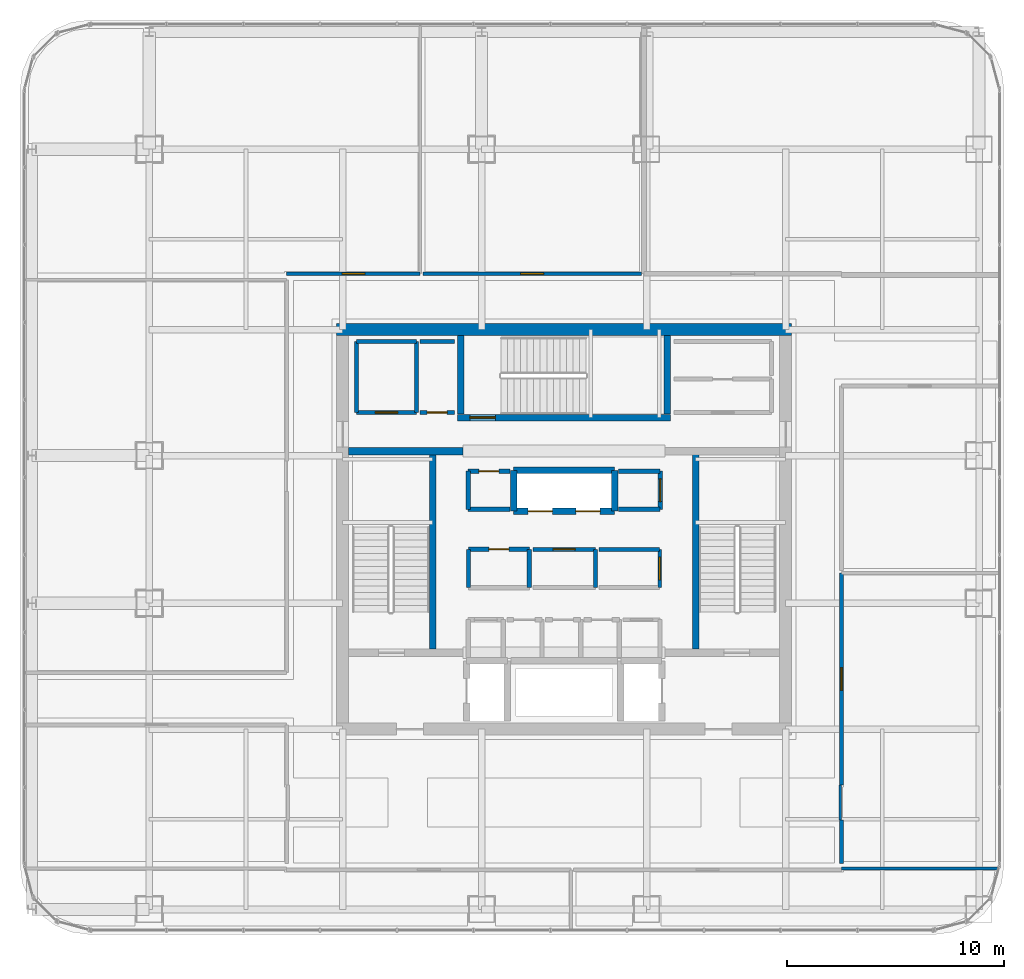
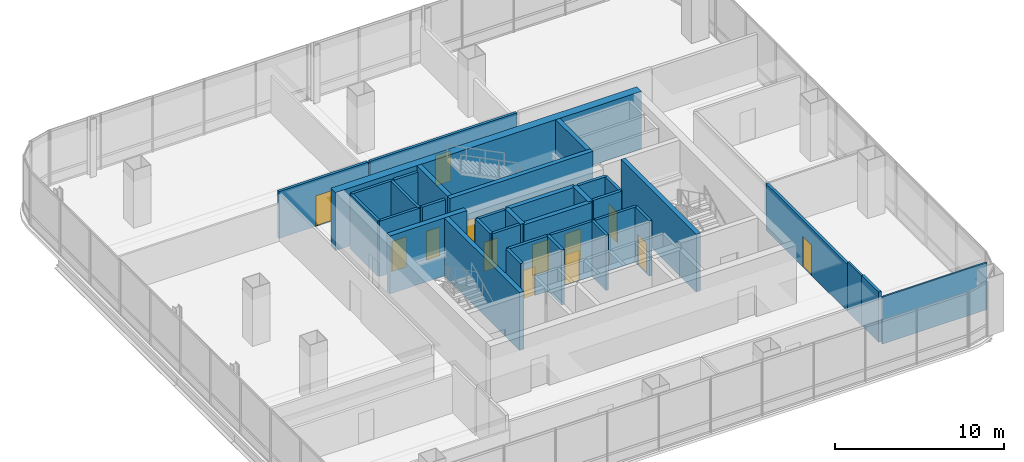
# One storey, part 35 of 41: 36 walls, 13 doors, 13 openings.
"""IFC4 building model written with IfcOpenShell, lengths in metres."""

from ifc_helpers import new_model, si_unit, direction, frame, frame_2d, origin, place, context, subcontext, project, spatial, rectangle, extrude, material, layer, layer_set, type_object, element, fill, save


model = new_model("IFC4")

# Units and contexts
model_context = context("Model", 3, precision=1e-05, world=origin(), true_north=direction((0.0, 1.0)))
body_context = subcontext(model_context, "Body", "Model", "MODEL_VIEW")
ifc_project = project(units=[si_unit("LENGTHUNIT", "METRE"), si_unit("AREAUNIT", "SQUARE_METRE"), si_unit("VOLUMEUNIT", "CUBIC_METRE"), si_unit("PLANEANGLEUNIT", "RADIAN"), si_unit("MASSUNIT", "GRAM", prefix="KILO")], contexts=[model_context])

# Site, building, storey
site_placement = place(None, origin())
site = spatial("IfcSite", under=ifc_project, at=site_placement, CompositionType="ELEMENT")
building_placement = place(site_placement, origin())
building = spatial("IfcBuilding", under=site, at=building_placement, Name="Punatoya Terracotta Tower", CompositionType="ELEMENT")
storey_placement = place(building_placement, frame((0.0, 0.0, 288.0)))
storey = spatial("IfcBuildingStorey", under=building, at=storey_placement, Name="L68", CompositionType="ELEMENT", Elevation=288.0)

# Walls
ifc_material_1 = material(Name="Concrete C50/60", Category="concrete")
ifc_layer_1 = layer(ifc_material_1, 0.550048828125)
ifc_layer_set_1 = layer_set([ifc_layer_1], Name="Concrete C50/60")
wall_type_1 = type_object("IfcWallType", Name="WL-COR-550", PredefinedType="SHEAR", material=ifc_layer_set_1)
wall_1_placement = place(storey_placement, frame((-10.47509765625, 9.199951171875, 0.0), z_axis=(0.0, 0.0, 1.0), x_axis=(1.0, 0.0, 0.0)))
element("IfcWall", 1, at=wall_1_placement, inside=storey, type_object=wall_type_1, Name="L68 Core Shear Wall N", PredefinedType="SHEAR", context=body_context, shape_type="SweptSolid", body=[
    extrude(rectangle(XDim=20.9501953125, YDim=0.550048828125, at=frame_2d((10.47509765625, 0.0))), origin(), (0.0, 0.0, 1.0), 4.199951171875),
])
ifc_material_2 = material(Name="Gypsum Fireboard + Steel Stud", Category="steel")
ifc_layer_2 = layer(ifc_material_2, 0.179931640625)
ifc_layer_set_2 = layer_set([ifc_layer_2], Name="Gypsum Fireboard + Steel Stud")
wall_type_2 = type_object("IfcWallType", Name="WL-CORR-180", PredefinedType="PARTITIONING", material=ifc_layer_set_2)
wall_2_placement = place(storey_placement, frame((1.43994140625, -2.679931640625, 0.0), z_axis=(0.0, 0.0, 1.0), x_axis=(0.0, 1.0, 0.0)))
element("IfcWall", 2, at=wall_2_placement, inside=storey, type_object=wall_type_2, Name="L68 Center Core Briefing Pod Partition 16", PredefinedType="PARTITIONING", context=body_context, shape_type="SweptSolid", body=[
    extrude(rectangle(XDim=1.760009765625, YDim=0.179931640625, at=frame_2d((0.8798828125, 0.0))), origin(), (0.0, 0.0, 1.0), 4.0),
])

# Wall, opening, door
wall_3_placement = place(storey_placement, frame((1.43994140625, -0.919921875, 0.0), z_axis=(0.0, 0.0, 1.0), x_axis=(-1.0, 0.0, 0.0)))
wall_3 = element("IfcWall", 3, at=wall_3_placement, inside=storey, type_object=wall_type_2, Name="L68 Center Core Briefing Pod Partition 17", PredefinedType="PARTITIONING", context=body_context, shape_type="SweptSolid", body=[
    extrude(rectangle(XDim=2.8798828125, YDim=0.179931640625, at=frame_2d((1.43994140625, 0.0))), origin(), (0.0, 0.0, 1.0), 4.0),
])
opening_1_placement = place(wall_3_placement, frame((0.929931640625, 0.0, 0.0)))
opening_1 = element("IfcOpeningElement", 4, at=opening_1_placement, cuts=wall_3, Name="Opening MD-01", PredefinedType="OPENING", context=body_context, shape_type="SweptSolid", body=[
    extrude(rectangle(XDim=1.02001953125, YDim=2.199951171875, at=frame_2d((0.510009765625, 1.10009765625))), frame((0.0, 0.099853515625, 0.0), z_axis=(0.0, -1.0, 0.0), x_axis=(1.0, 0.0, 0.0)), (0.0, 0.0, 1.0), 0.199951171875),
])
ifc_material_3 = material(Name="Aluminium + Acoustic Glass Leaf", Category="aluminium")
door_type_1 = type_object("IfcDoorType", Name="DR-MTG-1020", OperationType="NOTDEFINED", PredefinedType="DOOR", material=ifc_material_3)
door_1_placement = place(opening_1_placement, origin())
door_1 = element("IfcDoor", 5, at=door_1_placement, inside=storey, type_object=door_type_1, Name="L68 Center Briefing Pod Door", OperationType="SINGLE_SWING_RIGHT", OverallHeight=2.199951171875, OverallWidth=1.02001953125, PredefinedType="DOOR", context=body_context, shape_type="SweptSolid", body=[
    extrude(rectangle(XDim=1.02001953125, YDim=2.199951171875, at=frame_2d((0.510009765625, 1.10009765625))), frame((0.0, 0.02490234375, 0.0), z_axis=(0.0, -1.0, 0.0), x_axis=(1.0, 0.0, 0.0)), (0.0, 0.0, 1.0), 0.050048828125),
])
fill(opening_1, door_1)

wall_4_placement = place(storey_placement, frame((4.39990234375, -2.679931640625, 0.0), z_axis=(0.0, 0.0, 1.0), x_axis=(0.0, 1.0, 0.0)))
wall_4 = element("IfcWall", 6, at=wall_4_placement, inside=storey, type_object=wall_type_2, Name="L68 Right Core Copy Room Partition 19", PredefinedType="PARTITIONING", context=body_context, shape_type="SweptSolid", body=[
    extrude(rectangle(XDim=1.760009765625, YDim=0.179931640625, at=frame_2d((0.8798828125, 0.0))), origin(), (0.0, 0.0, 1.0), 4.0),
])
opening_2_placement = place(wall_4_placement, frame((0.35498046875, 0.0, 0.0)))
opening_2 = element("IfcOpeningElement", 7, at=opening_2_placement, cuts=wall_4, Name="Opening OD-01", PredefinedType="OPENING", context=body_context, shape_type="SweptSolid", body=[
    extrude(rectangle(XDim=1.050048828125, YDim=2.199951171875, at=frame_2d((0.52490234375, 1.10009765625))), frame((0.0, 0.099853515625, 0.0), z_axis=(0.0, -1.0, 0.0), x_axis=(1.0, 0.0, 0.0)), (0.0, 0.0, 1.0), 0.199951171875),
])
ifc_material_4 = material(Name="Bengal Teak Solid-Core Leaf")
door_type_2 = type_object("IfcDoorType", Name="DR-OFF-1050", OperationType="NOTDEFINED", PredefinedType="DOOR", material=ifc_material_4)
door_2_placement = place(opening_2_placement, origin())
door_2 = element("IfcDoor", 8, at=door_2_placement, inside=storey, type_object=door_type_2, Name="L68 Right Copy Room Door", OperationType="SINGLE_SWING_LEFT", OverallHeight=2.199951171875, OverallWidth=1.050048828125, PredefinedType="DOOR", context=body_context, shape_type="SweptSolid", body=[
    extrude(rectangle(XDim=1.050048828125, YDim=2.199951171875, at=frame_2d((0.52490234375, 1.10009765625))), frame((0.0, 0.02490234375, 0.0), z_axis=(0.0, -1.0, 0.0), x_axis=(1.0, 0.0, 0.0)), (0.0, 0.0, 1.0), 0.050048828125),
])
fill(opening_2, door_2)

# Walls
wall_5_placement = place(storey_placement, frame((4.39990234375, -0.919921875, 0.0), z_axis=(0.0, 0.0, 1.0), x_axis=(-1.0, 0.0, 0.0)))
element("IfcWall", 9, at=wall_5_placement, inside=storey, type_object=wall_type_2, Name="L68 Right Core Copy Room Partition 20", PredefinedType="PARTITIONING", context=body_context, shape_type="SweptSolid", body=[
    extrude(rectangle(XDim=2.7998046875, YDim=0.179931640625, at=frame_2d((1.39990234375, 0.0))), origin(), (0.0, 0.0, 1.0), 4.0),
])
wall_6_placement = place(storey_placement, frame((-6.800048828125, 5.3798828125, 0.0), z_axis=(0.0, 0.0, 1.0), x_axis=(0.0, 1.0, 0.0)))
element("IfcWall", 10, at=wall_6_placement, inside=storey, type_object=wall_type_2, Name="L68 West Core Briefing Pod Partition 28", PredefinedType="PARTITIONING", context=body_context, shape_type="SweptSolid", body=[
    extrude(rectangle(XDim=3.27001953125, YDim=0.179931640625, at=frame_2d((1.635009765625, 0.0))), origin(), (0.0, 0.0, 1.0), 4.0),
])
wall_7_placement = place(storey_placement, frame((-6.800048828125, 8.64990234375, 0.0), z_axis=(0.0, 0.0, 1.0), x_axis=(-1.0, 0.0, 0.0)))
element("IfcWall", 11, at=wall_7_placement, inside=storey, type_object=wall_type_2, Name="L68 West Core Briefing Pod Partition 29", PredefinedType="PARTITIONING", context=body_context, shape_type="SweptSolid", body=[
    extrude(rectangle(XDim=2.75, YDim=0.179931640625, at=frame_2d((1.375, 0.0))), origin(), (0.0, 0.0, 1.0), 4.0),
])
wall_8_placement = place(storey_placement, frame((-9.550048828125, 8.64990234375, 0.0), z_axis=(0.0, 0.0, 1.0), x_axis=(0.0, -1.0, 0.0)))
element("IfcWall", 12, at=wall_8_placement, inside=storey, type_object=wall_type_2, Name="L68 West Core Briefing Pod Partition 30", PredefinedType="PARTITIONING", context=body_context, shape_type="SweptSolid", body=[
    extrude(rectangle(XDim=3.27001953125, YDim=0.179931640625, at=frame_2d((1.635009765625, 0.0))), origin(), (0.0, 0.0, 1.0), 4.0),
])

# Wall, opening, door
wall_9_placement = place(storey_placement, frame((-9.550048828125, 5.3798828125, 0.0), z_axis=(0.0, 0.0, 1.0), x_axis=(1.0, 0.0, 0.0)))
wall_9 = element("IfcWall", 13, at=wall_9_placement, inside=storey, type_object=wall_type_2, Name="L68 West Core Briefing Pod Partition 31", PredefinedType="PARTITIONING", context=body_context, shape_type="SweptSolid", body=[
    extrude(rectangle(XDim=2.75, YDim=0.179931640625, at=frame_2d((1.375, 0.0))), origin(), (0.0, 0.0, 1.0), 4.0),
])
opening_3_placement = place(wall_9_placement, frame((0.864990234375, 0.0, 0.0)))
opening_3 = element("IfcOpeningElement", 14, at=opening_3_placement, cuts=wall_9, Name="Opening MD-01", PredefinedType="OPENING", context=body_context, shape_type="SweptSolid", body=[
    extrude(rectangle(XDim=1.02001953125, YDim=2.199951171875, at=frame_2d((0.510009765625, 1.10009765625))), frame((0.0, 0.099853515625, 0.0), z_axis=(0.0, -1.0, 0.0), x_axis=(1.0, 0.0, 0.0)), (0.0, 0.0, 1.0), 0.199951171875),
])
door_3_placement = place(opening_3_placement, origin())
door_3 = element("IfcDoor", 15, at=door_3_placement, inside=storey, type_object=door_type_1, Name="L68 West Briefing Pod Door", OperationType="SINGLE_SWING_RIGHT", OverallHeight=2.199951171875, OverallWidth=1.02001953125, PredefinedType="DOOR", context=body_context, shape_type="SweptSolid", body=[
    extrude(rectangle(XDim=1.02001953125, YDim=2.199951171875, at=frame_2d((0.510009765625, 1.10009765625))), frame((0.0, 0.02490234375, 0.0), z_axis=(0.0, -1.0, 0.0), x_axis=(1.0, 0.0, 0.0)), (0.0, 0.0, 1.0), 0.050048828125),
])
fill(opening_3, door_3)

wall_10_placement = place(storey_placement, frame((12.77001953125, -11.77001953125, 0.0), z_axis=(0.0, 0.0, 1.0), x_axis=(0.0, 1.0, 0.0)))
wall_10 = element("IfcWall", 16, at=wall_10_placement, inside=storey, type_object=wall_type_2, Name="L68 Open-Plan Environmental Research Laboratory Partition 49", PredefinedType="PARTITIONING", context=body_context, shape_type="SweptSolid", body=[
    extrude(rectangle(XDim=9.760009765625, YDim=0.179931640625, at=frame_2d((4.8798828125, 0.0))), origin(), (0.0, 0.0, 1.0), 3.39404296875),
])
opening_4_placement = place(wall_10_placement, frame((4.35498046875, 0.0, 0.0)))
opening_4 = element("IfcOpeningElement", 17, at=opening_4_placement, cuts=wall_10, Name="Opening OD-01", PredefinedType="OPENING", context=body_context, shape_type="SweptSolid", body=[
    extrude(rectangle(XDim=1.050048828125, YDim=2.199951171875, at=frame_2d((0.52490234375, 1.10009765625))), frame((0.0, 0.099853515625, 0.0), z_axis=(0.0, -1.0, 0.0), x_axis=(1.0, 0.0, 0.0)), (0.0, 0.0, 1.0), 0.199951171875),
])
door_4_placement = place(opening_4_placement, origin())
door_4 = element("IfcDoor", 18, at=door_4_placement, inside=storey, type_object=door_type_2, Name="L68 Open-Plan Environmental Research Laboratory Door", OperationType="SINGLE_SWING_LEFT", OverallHeight=2.199951171875, OverallWidth=1.050048828125, PredefinedType="DOOR", context=body_context, shape_type="SweptSolid", body=[
    extrude(rectangle(XDim=1.050048828125, YDim=2.199951171875, at=frame_2d((0.52490234375, 1.10009765625))), frame((0.0, 0.02490234375, 0.0), z_axis=(0.0, -1.0, 0.0), x_axis=(1.0, 0.0, 0.0)), (0.0, 0.0, 1.0), 0.050048828125),
])
fill(opening_4, door_4)

# Wall
wall_11_placement = place(storey_placement, frame((12.77001953125, -15.389892578125, 0.0), z_axis=(0.0, 0.0, 1.0), x_axis=(0.0, 1.0, 0.0)))
element("IfcWall", 19, at=wall_11_placement, inside=storey, type_object=wall_type_2, Name="L68 Open-Plan Environmental Research Laboratory Partition 51", PredefinedType="PARTITIONING", context=body_context, shape_type="SweptSolid", body=[
    extrude(rectangle(XDim=2.010009765625, YDim=0.179931640625, at=frame_2d((1.0048828125, 0.0))), origin(), (0.0, 0.0, 1.0), 3.634033203125),
])

# Wall, opening, door
wall_12_placement = place(storey_placement, frame((-6.626953125, 11.77001953125, 0.0), z_axis=(0.0, 0.0, 1.0), x_axis=(-1.0, 0.0, 0.0)))
wall_12 = element("IfcWall", 20, at=wall_12_placement, inside=storey, type_object=wall_type_2, Name="L68 Wellness Rest Room Partition 58", PredefinedType="PARTITIONING", context=body_context, shape_type="SweptSolid", body=[
    extrude(rectangle(XDim=6.14306640625, YDim=0.179931640625, at=frame_2d((3.071533203125, 0.0))), origin(), (0.0, 0.0, 1.0), 3.39404296875),
])
opening_5_placement = place(wall_12_placement, frame((2.54638671875, 0.0, 0.0)))
opening_5 = element("IfcOpeningElement", 21, at=opening_5_placement, cuts=wall_12, Name="Opening OD-01", PredefinedType="OPENING", context=body_context, shape_type="SweptSolid", body=[
    extrude(rectangle(XDim=1.050048828125, YDim=2.199951171875, at=frame_2d((0.52490234375, 1.10009765625))), frame((0.0, 0.099853515625, 0.0), z_axis=(0.0, -1.0, 0.0), x_axis=(1.0, 0.0, 0.0)), (0.0, 0.0, 1.0), 0.199951171875),
])
door_5_placement = place(opening_5_placement, origin())
door_5 = element("IfcDoor", 22, at=door_5_placement, inside=storey, type_object=door_type_2, Name="L68 Wellness Rest Room Door", OperationType="SINGLE_SWING_RIGHT", OverallHeight=2.199951171875, OverallWidth=1.050048828125, PredefinedType="DOOR", context=body_context, shape_type="SweptSolid", body=[
    extrude(rectangle(XDim=1.050048828125, YDim=2.199951171875, at=frame_2d((0.52490234375, 1.10009765625))), frame((0.0, 0.02490234375, 0.0), z_axis=(0.0, -1.0, 0.0), x_axis=(1.0, 0.0, 0.0)), (0.0, 0.0, 1.0), 0.050048828125),
])
fill(opening_5, door_5)

wall_13_placement = place(storey_placement, frame((3.55908203125, 11.77001953125, 0.0), z_axis=(0.0, 0.0, 1.0), x_axis=(-1.0, 0.0, 0.0)))
wall_13 = element("IfcWall", 23, at=wall_13_placement, inside=storey, type_object=wall_type_2, Name="L68 Open-Plan Hydrology Modelling Laboratory Partition 62", PredefinedType="PARTITIONING", context=body_context, shape_type="SweptSolid", body=[
    extrude(rectangle(XDim=10.066162109375, YDim=0.179931640625, at=frame_2d((5.033203125, 0.0))), origin(), (0.0, 0.0, 1.0), 3.39404296875),
])
opening_6_placement = place(wall_13_placement, frame((4.508056640625, 0.0, 0.0)))
opening_6 = element("IfcOpeningElement", 24, at=opening_6_placement, cuts=wall_13, Name="Opening OD-01", PredefinedType="OPENING", context=body_context, shape_type="SweptSolid", body=[
    extrude(rectangle(XDim=1.050048828125, YDim=2.199951171875, at=frame_2d((0.52490234375, 1.10009765625))), frame((0.0, 0.099853515625, 0.0), z_axis=(0.0, -1.0, 0.0), x_axis=(1.0, 0.0, 0.0)), (0.0, 0.0, 1.0), 0.199951171875),
])
door_6_placement = place(opening_6_placement, origin())
door_6 = element("IfcDoor", 25, at=door_6_placement, inside=storey, type_object=door_type_2, Name="L68 Open-Plan Hydrology Modelling Laboratory Door", OperationType="SINGLE_SWING_RIGHT", OverallHeight=2.199951171875, OverallWidth=1.050048828125, PredefinedType="DOOR", context=body_context, shape_type="SweptSolid", body=[
    extrude(rectangle(XDim=1.050048828125, YDim=2.199951171875, at=frame_2d((0.52490234375, 1.10009765625))), frame((0.0, 0.02490234375, 0.0), z_axis=(0.0, -1.0, 0.0), x_axis=(1.0, 0.0, 0.0)), (0.0, 0.0, 1.0), 0.050048828125),
])
fill(opening_6, door_6)

# Wall
ifc_material_5 = material(Name="Concrete C40/50", Category="concrete")
ifc_layer_3 = layer(ifc_material_5, 0.199951171875)
ifc_layer_set_3 = layer_set([ifc_layer_3], Name="Concrete C40/50")
wall_type_3 = type_object("IfcWallType", Name="WL-INT-200", PredefinedType="SOLIDWALL", material=ifc_layer_set_3)
wall_14_placement = place(storey_placement, frame((-1.60009765625, -2.679931640625, 0.0), z_axis=(0.0, 0.0, 1.0), x_axis=(0.0, 1.0, 0.0)))
element("IfcWall", 26, at=wall_14_placement, inside=storey, type_object=wall_type_3, Name="L68 Left Core Store Partition 12", PredefinedType="SOLIDWALL", context=body_context, shape_type="SweptSolid", body=[
    extrude(rectangle(XDim=1.760009765625, YDim=0.199951171875, at=frame_2d((0.8798828125, 0.0))), origin(), (0.0, 0.0, 1.0), 4.0),
])

# Wall, opening, door
wall_15_placement = place(storey_placement, frame((-1.60009765625, -0.919921875, 0.0), z_axis=(0.0, 0.0, 1.0), x_axis=(-1.0, 0.0, 0.0)))
wall_15 = element("IfcWall", 27, at=wall_15_placement, inside=storey, type_object=wall_type_3, Name="L68 Left Core Store Partition 13", PredefinedType="SOLIDWALL", context=body_context, shape_type="SweptSolid", body=[
    extrude(rectangle(XDim=2.7998046875, YDim=0.199951171875, at=frame_2d((1.39990234375, 0.0))), origin(), (0.0, 0.0, 1.0), 4.0),
])
opening_7_placement = place(wall_15_placement, frame((0.93994140625, 0.0, 0.0)))
opening_7 = element("IfcOpeningElement", 28, at=opening_7_placement, cuts=wall_15, Name="Opening FD-R1", PredefinedType="OPENING", context=body_context, shape_type="SweptSolid", body=[
    extrude(rectangle(XDim=0.919921875, YDim=2.10009765625, at=frame_2d((0.4599609375, 1.050048828125))), frame((0.0, 0.10986328125, 0.0), z_axis=(0.0, -1.0, 0.0), x_axis=(1.0, 0.0, 0.0)), (0.0, 0.0, 1.0), 0.219970703125),
])
ifc_material_6 = material(Name="Galvanised Steel Riser Fire Access Door", Category="steel")
door_type_3 = type_object("IfcDoorType", Name="DR-RSR-920", OperationType="NOTDEFINED", PredefinedType="DOOR", material=ifc_material_6)
door_7_placement = place(opening_7_placement, origin())
door_7 = element("IfcDoor", 29, at=door_7_placement, inside=storey, type_object=door_type_3, Name="L68 Left Core Store Fire Door", OperationType="SINGLE_SWING_LEFT", OverallHeight=2.10009765625, OverallWidth=0.919921875, PredefinedType="DOOR", context=body_context, shape_type="SweptSolid", body=[
    extrude(rectangle(XDim=0.919921875, YDim=2.10009765625, at=frame_2d((0.4599609375, 1.050048828125))), frame((0.0, 0.02490234375, 0.0), z_axis=(0.0, -1.0, 0.0), x_axis=(1.0, 0.0, 0.0)), (0.0, 0.0, 1.0), 0.050048828125),
])
fill(opening_7, door_7)

# Wall
wall_16_placement = place(storey_placement, frame((-4.39990234375, -0.919921875, 0.0), z_axis=(0.0, 0.0, 1.0), x_axis=(0.0, -1.0, 0.0)))
element("IfcWall", 30, at=wall_16_placement, inside=storey, type_object=wall_type_3, Name="L68 Left Core Store Partition 14", PredefinedType="SOLIDWALL", context=body_context, shape_type="SweptSolid", body=[
    extrude(rectangle(XDim=1.760009765625, YDim=0.199951171875, at=frame_2d((0.8798828125, 0.0))), origin(), (0.0, 0.0, 1.0), 4.0),
])

# Wall, opening, door
wall_17_placement = place(storey_placement, frame((-2.5, 2.679931640625, 0.0), z_axis=(0.0, 0.0, 1.0), x_axis=(-1.0, 0.0, 0.0)))
wall_17 = element("IfcWall", 31, at=wall_17_placement, inside=storey, type_object=wall_type_3, Name="L68 Core Security Equipment Closet Partition 22", PredefinedType="SOLIDWALL", context=body_context, shape_type="SweptSolid", body=[
    extrude(rectangle(XDim=1.919921875, YDim=0.199951171875, at=frame_2d((0.9599609375, 0.0))), origin(), (0.0, 0.0, 1.0), 4.0),
])
opening_8_placement = place(wall_17_placement, frame((0.5, 0.0, 0.0)))
opening_8 = element("IfcOpeningElement", 32, at=opening_8_placement, cuts=wall_17, Name="Opening FD-R1", PredefinedType="OPENING", context=body_context, shape_type="SweptSolid", body=[
    extrude(rectangle(XDim=0.919921875, YDim=2.10009765625, at=frame_2d((0.4599609375, 1.050048828125))), frame((0.0, 0.10986328125, 0.0), z_axis=(0.0, -1.0, 0.0), x_axis=(1.0, 0.0, 0.0)), (0.0, 0.0, 1.0), 0.219970703125),
])
door_8_placement = place(opening_8_placement, origin())
door_8 = element("IfcDoor", 33, at=door_8_placement, inside=storey, type_object=door_type_3, Name="L68 Core Security Equipment Closet Fire Door", OperationType="SINGLE_SWING_RIGHT", OverallHeight=2.10009765625, OverallWidth=0.919921875, PredefinedType="DOOR", context=body_context, shape_type="SweptSolid", body=[
    extrude(rectangle(XDim=0.919921875, YDim=2.10009765625, at=frame_2d((0.4599609375, 1.050048828125))), frame((0.0, 0.02490234375, 0.0), z_axis=(0.0, -1.0, 0.0), x_axis=(1.0, 0.0, 0.0)), (0.0, 0.0, 1.0), 0.050048828125),
])
fill(opening_8, door_8)

# Walls
wall_18_placement = place(storey_placement, frame((-4.419921875, 2.679931640625, 0.0), z_axis=(0.0, 0.0, 1.0), x_axis=(0.0, -1.0, 0.0)))
element("IfcWall", 34, at=wall_18_placement, inside=storey, type_object=wall_type_3, Name="L68 Core Security Equipment Closet Partition 23", PredefinedType="SOLIDWALL", context=body_context, shape_type="SweptSolid", body=[
    extrude(rectangle(XDim=1.760009765625, YDim=0.199951171875, at=frame_2d((0.8798828125, 0.0))), origin(), (0.0, 0.0, 1.0), 4.0),
])
wall_19_placement = place(storey_placement, frame((-4.419921875, 0.919921875, 0.0), z_axis=(0.0, 0.0, 1.0), x_axis=(1.0, 0.0, 0.0)))
element("IfcWall", 35, at=wall_19_placement, inside=storey, type_object=wall_type_3, Name="L68 Core Security Equipment Closet Partition 24", PredefinedType="SOLIDWALL", context=body_context, shape_type="SweptSolid", body=[
    extrude(rectangle(XDim=1.919921875, YDim=0.199951171875, at=frame_2d((0.9599609375, 0.0))), origin(), (0.0, 0.0, 1.0), 4.0),
])

# Wall, opening, door
wall_20_placement = place(storey_placement, frame((4.419921875, 0.919921875, 0.0), z_axis=(0.0, 0.0, 1.0), x_axis=(0.0, 1.0, 0.0)))
wall_20 = element("IfcWall", 36, at=wall_20_placement, inside=storey, type_object=wall_type_3, Name="L68 Executive Steward Pantry Partition 25", PredefinedType="SOLIDWALL", context=body_context, shape_type="SweptSolid", body=[
    extrude(rectangle(XDim=1.760009765625, YDim=0.199951171875, at=frame_2d((0.8798828125, 0.0))), origin(), (0.0, 0.0, 1.0), 4.0),
])
opening_9_placement = place(wall_20_placement, frame((0.35498046875, 0.0, 0.0)))
opening_9 = element("IfcOpeningElement", 37, at=opening_9_placement, cuts=wall_20, Name="Opening OD-01", PredefinedType="OPENING", context=body_context, shape_type="SweptSolid", body=[
    extrude(rectangle(XDim=1.050048828125, YDim=2.199951171875, at=frame_2d((0.52490234375, 1.10009765625))), frame((0.0, 0.10986328125, 0.0), z_axis=(0.0, -1.0, 0.0), x_axis=(1.0, 0.0, 0.0)), (0.0, 0.0, 1.0), 0.219970703125),
])
door_9_placement = place(opening_9_placement, origin())
door_9 = element("IfcDoor", 38, at=door_9_placement, inside=storey, type_object=door_type_2, Name="L68 Executive Steward Pantry Door", OperationType="SINGLE_SWING_LEFT", OverallHeight=2.199951171875, OverallWidth=1.050048828125, PredefinedType="DOOR", context=body_context, shape_type="SweptSolid", body=[
    extrude(rectangle(XDim=1.050048828125, YDim=2.199951171875, at=frame_2d((0.52490234375, 1.10009765625))), frame((0.0, 0.02490234375, 0.0), z_axis=(0.0, -1.0, 0.0), x_axis=(1.0, 0.0, 0.0)), (0.0, 0.0, 1.0), 0.050048828125),
])
fill(opening_9, door_9)

# Walls
for number, where, z_axis, x_axis, name in (
    (39, (4.419921875, 2.679931640625, 0.0), (0.0, 0.0, 1.0), (-1.0, 0.0, 0.0), "L68 Executive Steward Pantry Partition 26"),
    (40, (2.5, 0.919921875, 0.0), (0.0, 0.0, 1.0), (1.0, 0.0, 0.0), "L68 Executive Steward Pantry Partition 27"),
):
    element("IfcWall", number, at=place(storey_placement, frame(where, z_axis=z_axis, x_axis=x_axis)), inside=storey, type_object=wall_type_3, Name=name, PredefinedType="SOLIDWALL", context=body_context, shape_type="SweptSolid", body=[
        extrude(rectangle(XDim=1.919921875, YDim=0.199951171875, at=frame_2d((0.9599609375, 0.0))), origin(), (0.0, 0.0, 1.0), 4.0),
    ])
wall_21_placement = place(storey_placement, frame((-5.050048828125, 8.64990234375, 0.0), z_axis=(0.0, 0.0, 1.0), x_axis=(-1.0, 0.0, 0.0)))
element("IfcWall", 41, at=wall_21_placement, inside=storey, type_object=wall_type_3, Name="L68 West Core Supply Store Partition 32", PredefinedType="SOLIDWALL", context=body_context, shape_type="SweptSolid", body=[
    extrude(rectangle(XDim=1.58984375, YDim=0.199951171875, at=frame_2d((0.794921875, 0.0))), origin(), (0.0, 0.0, 1.0), 4.0),
])

# Wall, opening, door
wall_22_placement = place(storey_placement, frame((-6.639892578125, 5.3798828125, 0.0), z_axis=(0.0, 0.0, 1.0), x_axis=(1.0, 0.0, 0.0)))
wall_22 = element("IfcWall", 42, at=wall_22_placement, inside=storey, type_object=wall_type_3, Name="L68 West Core Supply Store Partition 33", PredefinedType="SOLIDWALL", context=body_context, shape_type="SweptSolid", body=[
    extrude(rectangle(XDim=1.58984375, YDim=0.199951171875, at=frame_2d((0.794921875, 0.0))), origin(), (0.0, 0.0, 1.0), 4.0),
])
opening_10_placement = place(wall_22_placement, frame((0.3349609375, 0.0, 0.0)))
opening_10 = element("IfcOpeningElement", 43, at=opening_10_placement, cuts=wall_22, Name="Opening FD-R1", PredefinedType="OPENING", context=body_context, shape_type="SweptSolid", body=[
    extrude(rectangle(XDim=0.919921875, YDim=2.10009765625, at=frame_2d((0.4599609375, 1.050048828125))), frame((0.0, 0.10986328125, 0.0), z_axis=(0.0, -1.0, 0.0), x_axis=(1.0, 0.0, 0.0)), (0.0, 0.0, 1.0), 0.219970703125),
])
door_10_placement = place(opening_10_placement, origin())
door_10 = element("IfcDoor", 44, at=door_10_placement, inside=storey, type_object=door_type_3, Name="L68 West Core Supply Store Fire Door", OperationType="SINGLE_SWING_LEFT", OverallHeight=2.10009765625, OverallWidth=0.919921875, PredefinedType="DOOR", context=body_context, shape_type="SweptSolid", body=[
    extrude(rectangle(XDim=0.919921875, YDim=2.10009765625, at=frame_2d((0.4599609375, 1.050048828125))), frame((0.0, 0.02490234375, 0.0), z_axis=(0.0, -1.0, 0.0), x_axis=(1.0, 0.0, 0.0)), (0.0, 0.0, 1.0), 0.050048828125),
])
fill(opening_10, door_10)

# Walls
ifc_material_7 = material(Name="Gypsum Partition + Steel Stud", Category="steel")
ifc_layer_4 = layer(ifc_material_7, 0.1201171875)
ifc_layer_set_4 = layer_set([ifc_layer_4], Name="Gypsum Partition + Steel Stud")
wall_type_4 = type_object("IfcWallType", Name="WL-OFF-120", PredefinedType="PARTITIONING", material=ifc_layer_set_4)
wall_23_placement = place(storey_placement, frame((12.77001953125, -15.610107421875, 0.0), z_axis=(0.0, 0.0, 1.0), x_axis=(1.0, 0.0, 0.0)))
element("IfcWall", 45, at=wall_23_placement, inside=storey, type_object=wall_type_4, Name="L68 Open-Plan Cartography Reference Library Partition 43", PredefinedType="PARTITIONING", context=body_context, shape_type="SweptSolid", body=[
    extrude(rectangle(XDim=7.176513671875, YDim=0.1201171875, at=frame_2d((3.58837890625, 0.0))), origin(), (0.0, 0.0, 1.0), 3.39404296875),
])
wall_24_placement = place(storey_placement, frame((12.7099609375, -13.3798828125, 0.0), z_axis=(0.0, 0.0, 1.0), x_axis=(0.0, 1.0, 0.0)))
element("IfcWall", 46, at=wall_24_placement, inside=storey, type_object=wall_type_4, Name="L68 Open-Plan Environmental Research Laboratory Partition 48", PredefinedType="PARTITIONING", context=body_context, shape_type="SweptSolid", body=[
    extrude(rectangle(XDim=1.60986328125, YDim=0.1201171875, at=frame_2d((0.804931640625, 0.0))), origin(), (0.0, 0.0, 1.0), 3.634033203125),
])
ifc_layer_5 = layer(ifc_material_5, 0.300048828125)
ifc_layer_set_5 = layer_set([ifc_layer_5], Name="Concrete C40/50")
wall_type_5 = type_object("IfcWallType", Name="WL-SHF-300", PredefinedType="SOLIDWALL", material=ifc_layer_set_5)
for number, where, z_axis, x_axis, name in (
    (47, (-6.050048828125, -5.5, 0.0), (0.0, 0.0, 1.0), (0.0, 1.0, 0.0), "L68 Structural Stair Shaft Wall SW-ST1-E"),
    (48, (6.050048828125, 3.449951171875, 0.0), (0.0, 0.0, 1.0), (0.0, -1.0, 0.0), "L68 Structural Stair Shaft Wall SW-ST2-W"),
):
    element("IfcWall", number, at=place(storey_placement, frame(where, z_axis=z_axis, x_axis=x_axis)), inside=storey, type_object=wall_type_5, Name=name, PredefinedType="SOLIDWALL", context=body_context, shape_type="SweptSolid", body=[
        extrude(rectangle(XDim=8.949951171875, YDim=0.300048828125, at=frame_2d((4.47509765625, 0.0))), origin(), (0.0, 0.0, 1.0), 4.199951171875),
    ])
for number, where, z_axis, x_axis, name in (
    (49, (-4.75, 5.300048828125, 0.0), (0.0, 0.0, 1.0), (0.0, 1.0, 0.0), "L68 Structural Stair Shaft Wall SW-ST3-W"),
    (50, (4.75, 8.925048828125, 0.0), (0.0, 0.0, 1.0), (0.0, -1.0, 0.0), "L68 Structural Stair Shaft Wall SW-ST3-E"),
):
    element("IfcWall", number, at=place(storey_placement, frame(where, z_axis=z_axis, x_axis=x_axis)), inside=storey, type_object=wall_type_5, Name=name, PredefinedType="SOLIDWALL", context=body_context, shape_type="SweptSolid", body=[
        extrude(rectangle(XDim=3.625, YDim=0.300048828125, at=frame_2d((1.8125, 0.0))), origin(), (0.0, 0.0, 1.0), 4.199951171875),
    ])

# Wall, opening, door
wall_25_placement = place(storey_placement, frame((-4.89990234375, 5.14990234375, 0.0), z_axis=(0.0, 0.0, 1.0), x_axis=(1.0, 0.0, 0.0)))
wall_25 = element("IfcWall", 51, at=wall_25_placement, inside=storey, type_object=wall_type_5, Name="L68 Structural Stair Shaft Wall SW-ST3-S", PredefinedType="SOLIDWALL", context=body_context, shape_type="SweptSolid", body=[
    extrude(rectangle(XDim=9.7998046875, YDim=0.300048828125, at=frame_2d((4.89990234375, 0.0))), origin(), (0.0, 0.0, 1.0), 4.199951171875),
])
opening_11_placement = place(wall_25_placement, frame((0.56005859375, 0.0, 0.0)))
opening_11 = element("IfcOpeningElement", 52, at=opening_11_placement, cuts=wall_25, Name="Opening SD-01", PredefinedType="OPENING", context=body_context, shape_type="SweptSolid", body=[
    extrude(rectangle(XDim=1.179931640625, YDim=2.199951171875, at=frame_2d((0.58984375, 1.10009765625))), frame((0.0, 0.159912109375, 0.0), z_axis=(0.0, -1.0, 0.0), x_axis=(1.0, 0.0, 0.0)), (0.0, 0.0, 1.0), 0.320068359375),
])
ifc_material_8 = material(Name="Galvanised Steel Pressurized Stair Fire Door", Category="steel")
door_type_4 = type_object("IfcDoorType", Name="DR-STR-1180", OperationType="NOTDEFINED", PredefinedType="DOOR", material=ifc_material_8)
door_11_placement = place(opening_11_placement, origin())
door_11 = element("IfcDoor", 53, at=door_11_placement, inside=storey, type_object=door_type_4, Name="L68 Stair ST-3 Core Lobby Fire Door", OperationType="SINGLE_SWING_LEFT", OverallHeight=2.199951171875, OverallWidth=1.179931640625, PredefinedType="DOOR", context=body_context, shape_type="SweptSolid", body=[
    extrude(rectangle(XDim=1.179931640625, YDim=2.199951171875, at=frame_2d((0.58984375, 1.10009765625))), frame((0.0, 0.02490234375, 0.0), z_axis=(0.0, -1.0, 0.0), x_axis=(1.0, 0.0, 0.0)), (0.0, 0.0, 1.0), 0.050048828125),
])
fill(opening_11, door_11)

# Wall, openings, doors
wall_26_placement = place(storey_placement, frame((-2.320068359375, 0.840087890625, 0.0), z_axis=(0.0, 0.0, 1.0), x_axis=(1.0, 0.0, 0.0)))
wall_26 = element("IfcWall", 54, at=wall_26_placement, inside=storey, type_object=wall_type_5, Name="L68 North Lift Bank Front Shaft Wall", PredefinedType="SOLIDWALL", context=body_context, shape_type="SweptSolid", body=[
    extrude(rectangle(XDim=4.64013671875, YDim=0.300048828125, at=frame_2d((2.320068359375, 0.0))), origin(), (0.0, 0.0, 1.0), 4.0),
])
opening_12_placement = place(wall_26_placement, frame((0.659912109375, 0.0, 0.0)))
opening_12 = element("IfcOpeningElement", 55, at=opening_12_placement, cuts=wall_26, Name="Opening LD-02", PredefinedType="OPENING", context=body_context, shape_type="SweptSolid", body=[
    extrude(rectangle(XDim=1.1201171875, YDim=2.25, at=frame_2d((0.56005859375, 1.125))), frame((0.0, 0.159912109375, 0.0), z_axis=(0.0, -1.0, 0.0), x_axis=(1.0, 0.0, 0.0)), (0.0, 0.0, 1.0), 0.320068359375),
])
opening_13_placement = place(wall_26_placement, frame((2.860107421875, 0.0, 0.0)))
opening_13 = element("IfcOpeningElement", 56, at=opening_13_placement, cuts=wall_26, Name="Opening LD-02", PredefinedType="OPENING", context=body_context, shape_type="SweptSolid", body=[
    extrude(rectangle(XDim=1.1201171875, YDim=2.25, at=frame_2d((0.56005859375, 1.125))), frame((0.0, 0.159912109375, 0.0), z_axis=(0.0, -1.0, 0.0), x_axis=(1.0, 0.0, 0.0)), (0.0, 0.0, 1.0), 0.320068359375),
])
ifc_material_9 = material(Name="Stainless Steel Lift Landing Door", Category="steel")
door_type_5 = type_object("IfcDoorType", Name="DR-LND-1120", OperationType="NOTDEFINED", PredefinedType="DOOR", material=ifc_material_9)
door_12_placement = place(opening_12_placement, origin())
door_12 = element("IfcDoor", 57, at=door_12_placement, inside=storey, type_object=door_type_5, Name="L68 Lift PL-E1 Sliding Landing Door", OperationType="DOUBLE_DOOR_SLIDING", OverallHeight=2.25, OverallWidth=1.1201171875, PredefinedType="DOOR", context=body_context, shape_type="SweptSolid", body=[
    extrude(rectangle(XDim=1.1201171875, YDim=2.25, at=frame_2d((0.56005859375, 1.125))), frame((0.0, 0.02490234375, 0.0), z_axis=(0.0, -1.0, 0.0), x_axis=(1.0, 0.0, 0.0)), (0.0, 0.0, 1.0), 0.050048828125),
])
fill(opening_12, door_12)
door_13_placement = place(opening_13_placement, origin())
door_13 = element("IfcDoor", 58, at=door_13_placement, inside=storey, type_object=door_type_5, Name="L68 Lift PL-E2 Sliding Landing Door", OperationType="DOUBLE_DOOR_SLIDING", OverallHeight=2.25, OverallWidth=1.1201171875, PredefinedType="DOOR", context=body_context, shape_type="SweptSolid", body=[
    extrude(rectangle(XDim=1.1201171875, YDim=2.25, at=frame_2d((0.56005859375, 1.125))), frame((0.0, 0.02490234375, 0.0), z_axis=(0.0, -1.0, 0.0), x_axis=(1.0, 0.0, 0.0)), (0.0, 0.0, 1.0), 0.050048828125),
])
fill(opening_13, door_13)

# Walls
wall_27_placement = place(storey_placement, frame((-2.320068359375, 2.719970703125, 0.0), z_axis=(0.0, 0.0, 1.0), x_axis=(1.0, 0.0, 0.0)))
element("IfcWall", 59, at=wall_27_placement, inside=storey, type_object=wall_type_5, Name="L68 North Lift Bank Rear Shaft Wall", PredefinedType="SOLIDWALL", context=body_context, shape_type="SweptSolid", body=[
    extrude(rectangle(XDim=4.64013671875, YDim=0.300048828125, at=frame_2d((2.320068359375, 0.0))), origin(), (0.0, 0.0, 1.0), 4.0),
])
for number, where, z_axis, x_axis, name in (
    (60, (-2.320068359375, 0.840087890625, 0.0), (0.0, 0.0, 1.0), (0.0, 1.0, 0.0), "L68 North Lift Bank West End Wall"),
    (61, (2.320068359375, 0.840087890625, 0.0), (0.0, 0.0, 1.0), (0.0, 1.0, 0.0), "L68 North Lift Bank East End Wall"),
):
    element("IfcWall", number, at=place(storey_placement, frame(where, z_axis=z_axis, x_axis=x_axis)), inside=storey, type_object=wall_type_5, Name=name, PredefinedType="SOLIDWALL", context=body_context, shape_type="SweptSolid", body=[
        extrude(rectangle(XDim=1.8798828125, YDim=0.300048828125, at=frame_2d((0.93994140625, 0.0))), origin(), (0.0, 0.0, 1.0), 4.0),
    ])
ifc_layer_6 = layer(ifc_material_1, 0.35009765625)
ifc_layer_set_6 = layer_set([ifc_layer_6], Name="Concrete C50/60")
wall_type_6 = type_object("IfcWallType", Name="WL-SHF-350", PredefinedType="SOLIDWALL", material=ifc_layer_set_6)
wall_28_placement = place(storey_placement, frame((-9.925048828125, 3.60009765625, 0.0), z_axis=(0.0, 0.0, 1.0), x_axis=(1.0, 0.0, 0.0)))
element("IfcWall", 62, at=wall_28_placement, inside=storey, type_object=wall_type_6, Name="L68 Core Web Wall CNW-L", PredefinedType="SOLIDWALL", context=body_context, shape_type="SweptSolid", body=[
    extrude(rectangle(XDim=5.275146484375, YDim=0.35009765625, at=frame_2d((2.6376953125, 0.0))), origin(), (0.0, 0.0, 1.0), 4.199951171875),
])

save(model, "model.ifc")
